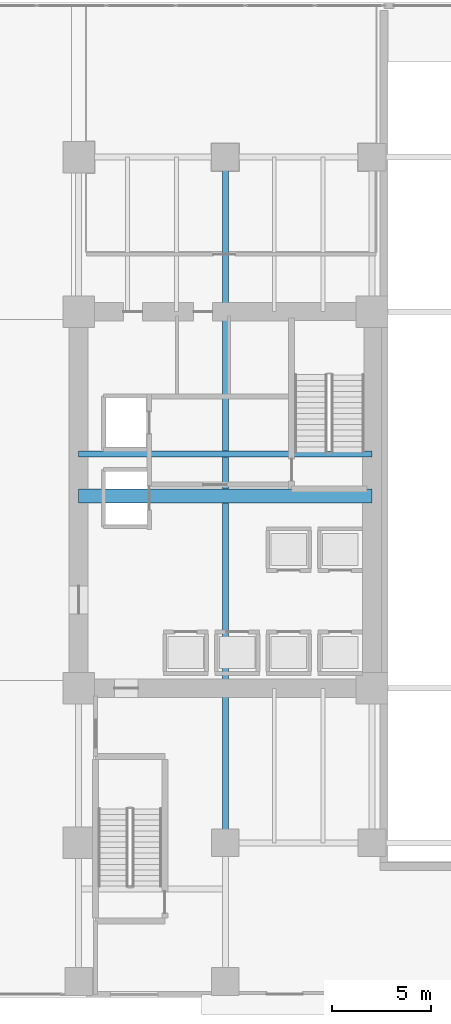
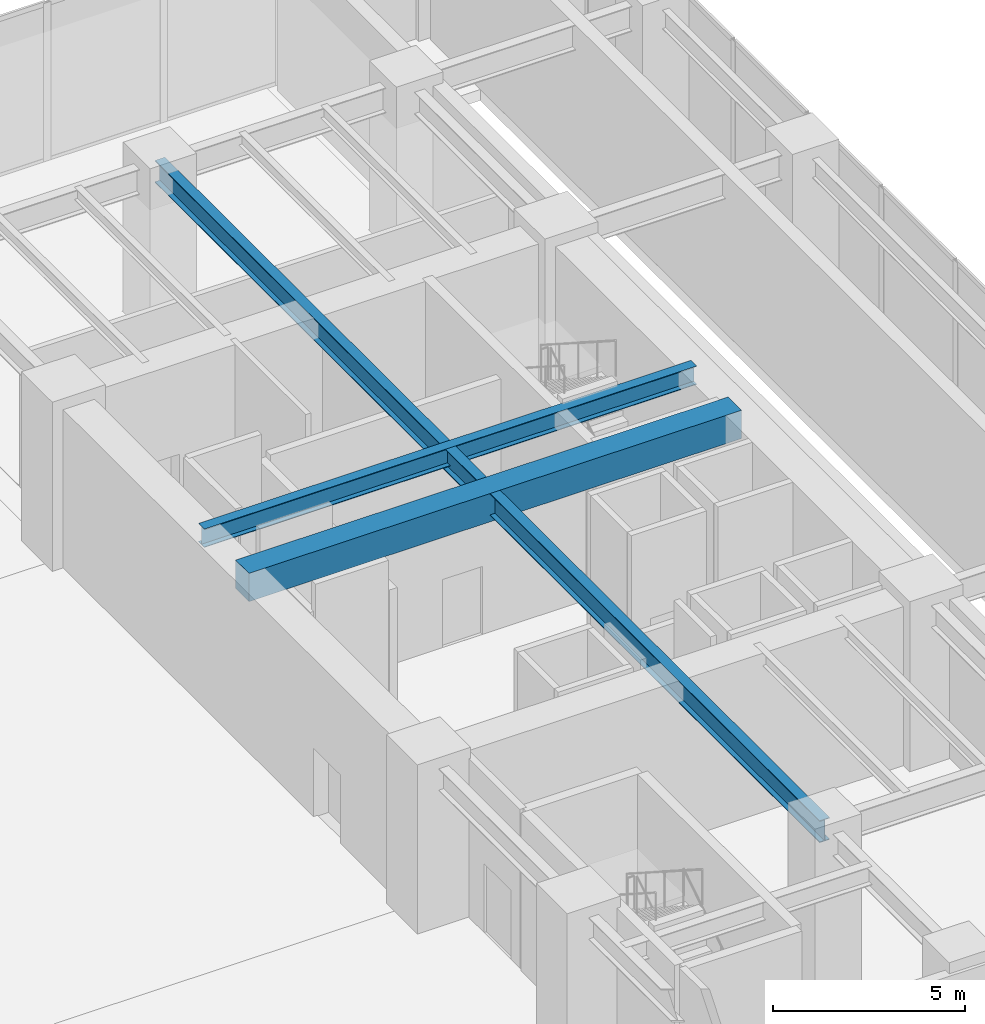
# One storey, part 8 of 28: 3 beams.
"""IFC4 building model written with IfcOpenShell, lengths in metres."""

from ifc_helpers import new_model, si_unit, direction, frame, origin, origin_2d, place, context, subcontext, project, spatial, rectangle, i_section, extrude, source, transform, mapped, material, material_profile, profile_set, type_object, type_shapes, element, save


model = new_model("IFC4")

# Units and contexts
model_context = context("Model", 3, precision=1e-05, world=origin(), true_north=direction((0.0, 1.0)))
body_context = subcontext(model_context, "Body", "Model", "MODEL_VIEW")
ifc_project = project(units=[si_unit("LENGTHUNIT", "METRE"), si_unit("AREAUNIT", "SQUARE_METRE"), si_unit("VOLUMEUNIT", "CUBIC_METRE"), si_unit("PLANEANGLEUNIT", "RADIAN"), si_unit("MASSUNIT", "GRAM", prefix="KILO")], contexts=[model_context])

# Site, building, storey
site_placement = place(None, origin())
site = spatial("IfcSite", under=ifc_project, at=site_placement, CompositionType="ELEMENT")
building_placement = place(site_placement, origin())
building = spatial("IfcBuilding", under=site, at=building_placement, Name="Haelvirn Gate Laboratories", CompositionType="ELEMENT")
storey_placement = place(building_placement, origin())
storey = spatial("IfcBuildingStorey", under=building, at=storey_placement, Name="L01", CompositionType="ELEMENT", Elevation=0.0)

# Beams
ifc_material_1 = material(Name="Concrete C60/75", Category="concrete")
ifc_material_profile_1 = material_profile(ifc_material_1, rectangle(XDim=0.699951171875, YDim=0.89990234375, at=origin_2d()), Name="RCB-700x900")
ifc_profile_set_1 = profile_set([ifc_material_profile_1], Name="Concrete C60/75")
beam_type_1 = type_object("IfcBeamType", Name="BM-RCB-900", PredefinedType="LINTEL", material=ifc_profile_set_1)
shared_shape_1 = source(origin(), body_context, "Body", "SweptSolid", [
    extrude(rectangle(XDim=0.699951171875, YDim=0.89990234375, at=origin_2d()), origin(), (0.0, 0.0, 1.0), 14.7998046875),
])
type_shapes(beam_type_1, [shared_shape_1])
beam_1_placement = place(storey_placement, frame((52.60009765625, 24.5, 4.60009765625), z_axis=(1.0, 0.0, 0.0), x_axis=(0.0, 1.0, 0.0)))
element("IfcBeam", 1, at=beam_1_placement, inside=storey, type_object=beam_type_1, Name="L01 East Core Coupling Beam", PredefinedType="LINTEL", context=body_context, shape_type="MappedRepresentation", body=[
    mapped(shared_shape_1, transform((0.0, 0.0, 0.0), scale=1.0)),
])
ifc_material_2 = material(Name="Steel SM355", Category="steel")
ifc_material_profile_2 = material_profile(ifc_material_2, i_section(OverallWidth=0.300048828125, OverallDepth=0.587890625, WebThickness=0.011962890625, FlangeThickness=0.02001953125, at=origin_2d()), Name="H-588x300x12x20")
ifc_profile_set_2 = profile_set([ifc_material_profile_2], Name="Steel SM355")
beam_type_2 = type_object("IfcBeamType", Name="BM-G-588", PredefinedType="BEAM", material=ifc_profile_set_2)
shared_shape_2 = source(origin(), body_context, "Body", "SweptSolid", [
    extrude(i_section(OverallWidth=0.300048828125, OverallDepth=0.587890625, WebThickness=0.011962890625, FlangeThickness=0.02001953125, at=origin_2d()), origin(), (0.0, 0.0, 1.0), 14.7998046875),
])
type_shapes(beam_type_2, [shared_shape_2])
beam_2_placement = place(storey_placement, frame((52.60009765625, 26.6201171875, 4.756103515625), z_axis=(1.0, 0.0, 0.0), x_axis=(0.0, 1.0, 0.0)))
element("IfcBeam", 2, at=beam_2_placement, inside=storey, type_object=beam_type_2, Name="L01 Stair ST2 Landing Header", PredefinedType="BEAM", context=body_context, shape_type="MappedRepresentation", body=[
    mapped(shared_shape_2, transform((0.0, 0.0, 0.0), scale=1.0)),
])
ifc_material_profile_3 = material_profile(ifc_material_2, i_section(OverallWidth=0.300048828125, OverallDepth=0.699951171875, WebThickness=0.012939453125, FlangeThickness=0.02392578125, at=origin_2d()), Name="H-700x300x13x24")
ifc_profile_set_3 = profile_set([ifc_material_profile_3], Name="Steel SM355")
beam_type_3 = type_object("IfcBeamType", Name="BM-G-700", PredefinedType="BEAM", material=ifc_profile_set_3)
shared_shape_3 = source(origin(), body_context, "Body", "SweptSolid", [
    extrude(i_section(OverallWidth=0.300048828125, OverallDepth=0.699951171875, WebThickness=0.012939453125, FlangeThickness=0.02392578125, at=origin_2d()), origin(), (0.0, 0.0, 1.0), 34.60009765625),
])
type_shapes(beam_type_3, [shared_shape_3])
beam_3_placement = place(storey_placement, frame((60.0, 7.0, 4.699951171875), z_axis=(0.0, 1.0, 0.0), x_axis=(-1.0, 0.0, 0.0)))
element("IfcBeam", 3, at=beam_3_placement, inside=storey, type_object=beam_type_3, Name="L01 Frame Girder X60.0 (7.0-41.6)", PredefinedType="BEAM", context=body_context, shape_type="MappedRepresentation", body=[
    mapped(shared_shape_3, transform((0.0, 0.0, 0.0), scale=1.0)),
])

save(model, "model.ifc")
